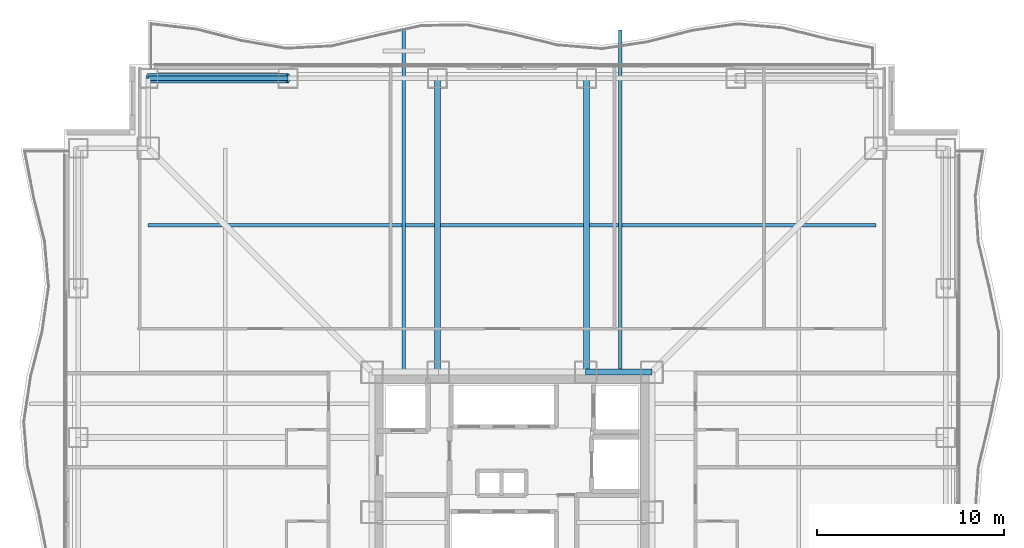
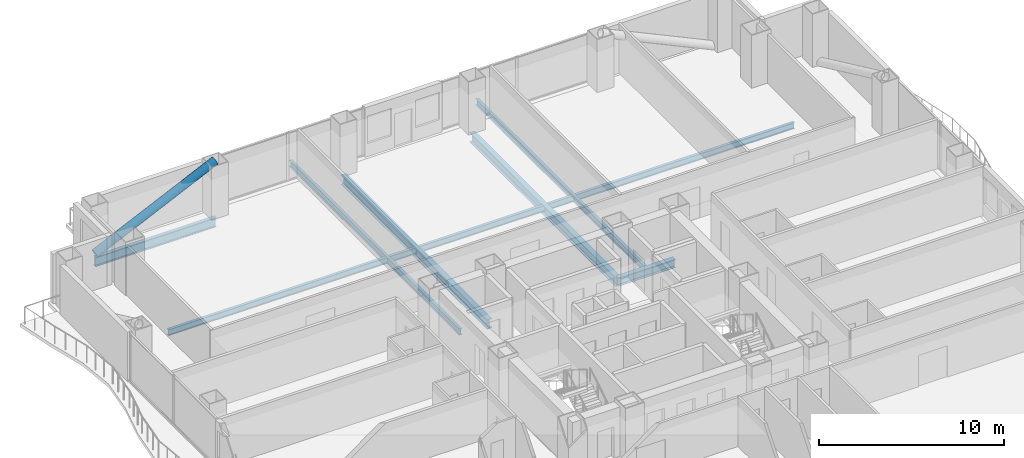
# One storey, part 10 of 24: 7 beams, 1 member.
"""IFC4 building model written with IfcOpenShell, lengths in metres."""

from ifc_helpers import new_model, si_unit, direction, frame, origin, origin_2d, place, context, subcontext, project, spatial, hollow_circle, i_section, extrude, material, material_profile, profile_set, type_object, element, save


model = new_model("IFC4")

# Units and contexts
model_context = context("Model", 3, precision=1e-05, world=origin(), true_north=direction((0.0, 1.0)))
body_context = subcontext(model_context, "Body", "Model", "MODEL_VIEW")
ifc_project = project(units=[si_unit("LENGTHUNIT", "METRE"), si_unit("AREAUNIT", "SQUARE_METRE"), si_unit("VOLUMEUNIT", "CUBIC_METRE"), si_unit("PLANEANGLEUNIT", "RADIAN"), si_unit("MASSUNIT", "GRAM", prefix="KILO")], contexts=[model_context])

# Site, building, storey
site_placement = place(None, origin())
site = spatial("IfcSite", under=ifc_project, at=site_placement, CompositionType="ELEMENT")
building_placement = place(site_placement, origin())
building = spatial("IfcBuilding", under=site, at=building_placement, Name="Trevonay Congress Spire", CompositionType="ELEMENT")
storey_placement = place(building_placement, frame((0.0, 0.0, 55.0)))
storey = spatial("IfcBuildingStorey", under=building, at=storey_placement, Name="L13", CompositionType="ELEMENT", Elevation=55.0)

# Beams
ifc_material = material(Name="Steel ASTM A572 Grade 50", Category="steel")
ifc_material_profile_1 = material_profile(ifc_material, i_section(OverallWidth=0.31201171875, OverallDepth=0.54296875, WebThickness=0.0126953125, FlangeThickness=0.020263671875, FilletRadius=0.014892578125, at=origin_2d()), Name="W530x150")
ifc_profile_set_1 = profile_set([ifc_material_profile_1], Name="Steel ASTM A572 Grade 50")
beam_type_1 = type_object("IfcBeamType", Name="BM-GIRD-W530X150", PredefinedType="BEAM", material=ifc_profile_set_1)
beam_1_placement = place(storey_placement, frame((3.949951171875, 7.5, -0.521484375), z_axis=(1.0, 0.0, 0.0), x_axis=(0.0, 1.0, 0.0)))
element("IfcBeam", 1, at=beam_1_placement, inside=storey, type_object=beam_type_1, Name="L13 structural beam BM-L13-CR-N3", PredefinedType="BEAM", context=body_context, shape_type="SweptSolid", body=[
    extrude(i_section(OverallWidth=0.31201171875, OverallDepth=0.54296875, WebThickness=0.0126953125, FlangeThickness=0.020263671875, FilletRadius=0.014892578125, at=origin_2d()), origin(), (0.0, 0.0, 1.0), 3.550048828125),
])
ifc_material_profile_2 = material_profile(ifc_material, i_section(OverallWidth=0.324951171875, OverallDepth=0.615966796875, WebThickness=0.013916015625, FlangeThickness=0.021484375, FilletRadius=0.01806640625, at=origin_2d()), Name="W610x174")
ifc_profile_set_2 = profile_set([ifc_material_profile_2], Name="Steel ASTM A572 Grade 50")
beam_type_2 = type_object("IfcBeamType", Name="BM-GIRD-W610X174", PredefinedType="BEAM", material=ifc_profile_set_2)
for number, where, z_axis, x_axis, name in (
    (2, (-4.0, 7.5, -0.55810546875), (0.0, 1.0, 0.0), (-1.0, 0.0, 0.0), "L13 structural beam BM-L13-GN-M"),
    (3, (4.0, 7.5, -0.55810546875), (0.0, 1.0, 0.0), (-1.0, 0.0, 0.0), "L13 structural beam BM-L13-GN-P"),
):
    element("IfcBeam", number, at=place(storey_placement, frame(where, z_axis=z_axis, x_axis=x_axis)), inside=storey, type_object=beam_type_2, Name=name, PredefinedType="BEAM", context=body_context, shape_type="SweptSolid", body=[
        extrude(i_section(OverallWidth=0.324951171875, OverallDepth=0.615966796875, WebThickness=0.013916015625, FlangeThickness=0.021484375, FilletRadius=0.01806640625, at=origin_2d()), origin(), (0.0, 0.0, 1.0), 15.75),
    ])
ifc_material_profile_3 = material_profile(ifc_material, i_section(OverallWidth=0.22998046875, OverallDepth=0.616943359375, WebThickness=0.01318359375, FlangeThickness=0.022216796875, FilletRadius=0.01611328125, at=origin_2d()), Name="W610x140")
ifc_profile_set_3 = profile_set([ifc_material_profile_3], Name="Steel ASTM A572 Grade 50")
beam_type_3 = type_object("IfcBeamType", Name="BM-RING-W610X140", PredefinedType="BEAM", material=ifc_profile_set_3)
beam_2_placement = place(storey_placement, frame((-19.5, 23.25, -0.55859375), z_axis=(1.0, 0.0, 0.0), x_axis=(0.0, 1.0, 0.0)))
element("IfcBeam", 4, at=beam_2_placement, inside=storey, type_object=beam_type_3, Name="L13 structural beam BM-L13-PN1", PredefinedType="BEAM", context=body_context, shape_type="SweptSolid", body=[
    extrude(i_section(OverallWidth=0.22998046875, OverallDepth=0.616943359375, WebThickness=0.01318359375, FlangeThickness=0.022216796875, FilletRadius=0.01611328125, at=origin_2d()), origin(), (0.0, 0.0, 1.0), 7.5),
])
ifc_material_profile_4 = material_profile(ifc_material, i_section(OverallWidth=0.180908203125, OverallDepth=0.4169921875, WebThickness=0.010986328125, FlangeThickness=0.018310546875, FilletRadius=0.012939453125, at=origin_2d()), Name="W410x85")
ifc_profile_set_4 = profile_set([ifc_material_profile_4], Name="Steel ASTM A572 Grade 50")
beam_type_4 = type_object("IfcBeamType", Name="BM-WAV-LOOKOUT", PredefinedType="BEAM", material=ifc_profile_set_4)
for number, where, z_axis, x_axis, name in (
    (5, (-5.800048828125, 7.5, -0.45849609375), (0.0, 1.0, 0.0), (-1.0, 0.0, 0.0), "L13 structural beam WLK-L13-N1"),
    (6, (5.800048828125, 7.5, -0.45849609375), (0.0, 1.0, 0.0), (-1.0, 0.0, 0.0), "L13 structural beam WLK-L13-N2"),
):
    element("IfcBeam", number, at=place(storey_placement, frame(where, z_axis=z_axis, x_axis=x_axis)), inside=storey, type_object=beam_type_4, Name=name, PredefinedType="BEAM", context=body_context, shape_type="SweptSolid", body=[
        extrude(i_section(OverallWidth=0.180908203125, OverallDepth=0.4169921875, WebThickness=0.010986328125, FlangeThickness=0.018310546875, FilletRadius=0.012939453125, at=origin_2d()), origin(), (0.0, 0.0, 1.0), 18.35009765625),
    ])
ifc_material_profile_5 = material_profile(ifc_material, i_section(OverallWidth=0.177978515625, OverallDepth=0.406982421875, WebThickness=0.0078125, FlangeThickness=0.0126953125, FilletRadius=0.012939453125, at=origin_2d()), Name="W410x60")
ifc_profile_set_5 = profile_set([ifc_material_profile_5], Name="Steel ASTM A572 Grade 50")
beam_type_5 = type_object("IfcBeamType", Name="JS-COMP-W410X60", PredefinedType="JOIST", material=ifc_profile_set_5)
beam_3_placement = place(storey_placement, frame((-19.5, 15.375, -0.45361328125), z_axis=(1.0, 0.0, 0.0), x_axis=(0.0, 1.0, 0.0)))
element("IfcBeam", 7, at=beam_3_placement, inside=storey, type_object=beam_type_5, Name="L13 structural beam JS-L13-RING-N", PredefinedType="JOIST", context=body_context, shape_type="SweptSolid", body=[
    extrude(i_section(OverallWidth=0.177978515625, OverallDepth=0.406982421875, WebThickness=0.0078125, FlangeThickness=0.0126953125, FilletRadius=0.012939453125, at=origin_2d()), origin(), (0.0, 0.0, 1.0), 39.0),
])

# Member
ifc_material_profile_6 = material_profile(ifc_material, hollow_circle(Radius=0.25390625, WallThickness=0.02490234375, at=origin_2d()), Name="CHS 508x25")
ifc_profile_set_6 = profile_set([ifc_material_profile_6], Name="Steel ASTM A572 Grade 50")
member_type = type_object("IfcMemberType", Name="MBR-TUBE-CHS508", PredefinedType="BRACE", material=ifc_profile_set_6)
member_placement = place(storey_placement, frame((-19.5, 23.25, -0.050048828125), z_axis=(0.906183139995, 0.0, 0.422885465331), x_axis=(0.0, 1.0, 0.0)))
element("IfcMember", 8, at=member_placement, inside=storey, type_object=member_type, Name="L13 perimeter braced-tube diagonal N0", PredefinedType="BRACE", context=body_context, shape_type="SweptSolid", body=[
    extrude(hollow_circle(Radius=0.25390625, WallThickness=0.02490234375, at=origin_2d()), origin(), (0.0, 0.0, 1.0), 8.2763671875),
])

save(model, "model.ifc")
